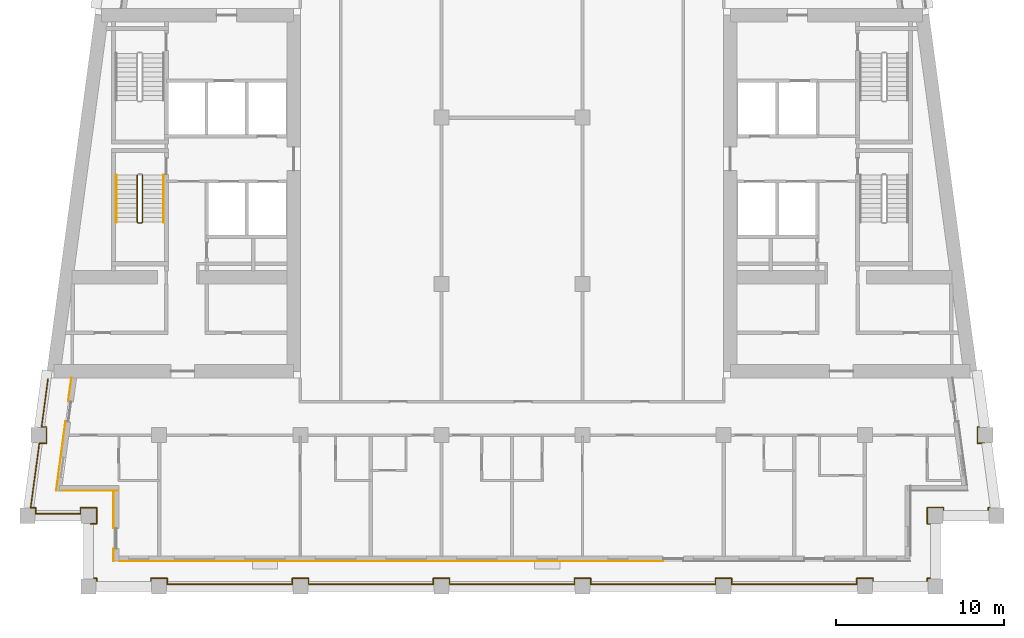
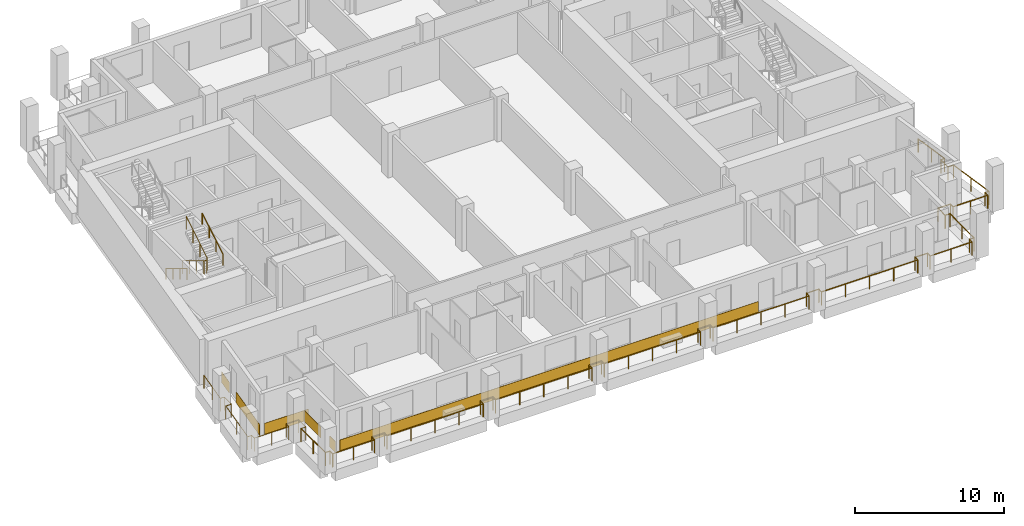
# One storey, part 8 of 12: 6 coverings, 5 railings.
"""IFC4 building model written with IfcOpenShell, lengths in metres."""

from ifc_helpers import new_model, si_unit, direction, frame, origin, origin_2d, place, context, subcontext, project, spatial, rectangle, circle, extrude, material, layer, layer_set, type_object, element, save


model = new_model("IFC4")

# Units and contexts
model_context = context("Model", 3, precision=1e-05, world=origin(), true_north=direction((0.0, 1.0)))
body_context = subcontext(model_context, "Body", "Model", "MODEL_VIEW")
ifc_project = project(units=[si_unit("LENGTHUNIT", "METRE"), si_unit("AREAUNIT", "SQUARE_METRE"), si_unit("VOLUMEUNIT", "CUBIC_METRE"), si_unit("PLANEANGLEUNIT", "RADIAN"), si_unit("MASSUNIT", "GRAM", prefix="KILO")], contexts=[model_context])

# Site, building, storey
site_placement = place(None, origin())
site = spatial("IfcSite", under=ifc_project, at=site_placement, CompositionType="ELEMENT")
building_placement = place(site_placement, origin())
building = spatial("IfcBuilding", under=site, at=building_placement, Name="Candeia Pilgrim Tower and Theatre", CompositionType="ELEMENT")
storey_placement = place(building_placement, frame((0.0, 0.0, 235.5)))
storey = spatial("IfcBuildingStorey", under=building, at=storey_placement, Name="L57", CompositionType="ELEMENT", Elevation=235.5)

# Railings
ifc_material_1 = material(Name="Stainless steel balustrade", Category="steel")
railing_type_1 = type_object("IfcRailingType", Name="G1 loggia guard 1100", PredefinedType="GUARDRAIL", material=ifc_material_1)
railing_1_placement = place(storey_placement, frame((88.320068359375, 101.719970703125, 0.0)))
element("IfcRailing", 1, at=railing_1_placement, inside=storey, type_object=railing_type_1, Name="Guard L57.1", PredefinedType="GUARDRAIL", context=body_context, shape_type="SweptSolid", body=[
    extrude(circle(Radius=0.02392578125, at=origin_2d()), frame((0.0, 0.0, 1.076171875), z_axis=(1.0, 0.0, 0.0), x_axis=(0.0, 1.0, 0.0)), (0.0, 0.0, 1.0), 0.35986328125),
    extrude(circle(Radius=0.02392578125, at=origin_2d()), frame((0.35986328125, 0.0, 1.076171875), z_axis=(0.0, 1.0, 0.0), x_axis=(-1.0, 0.0, 0.0)), (0.0, 0.0, 1.0), 0.9599609375),
    extrude(circle(Radius=0.02392578125, at=origin_2d()), frame((0.35986328125, 0.9599609375, 1.076171875), z_axis=(-1.0, 0.0, 0.0), x_axis=(0.0, -1.0, 0.0)), (0.0, 0.0, 1.0), 0.9599609375),
    extrude(circle(Radius=0.02392578125, at=origin_2d()), frame((-0.60009765625, 0.9599609375, 1.076171875), z_axis=(0.0, -1.0, 0.0), x_axis=(1.0, 0.0, 0.0)), (0.0, 0.0, 1.0), 0.35986328125),
    extrude(circle(Radius=0.02392578125, at=origin_2d()), frame((-0.60009765625, 0.60009765625, 1.076171875), z_axis=(-1.0, 0.0, 0.0), x_axis=(0.0, -1.0, 0.0)), (0.0, 0.0, 1.0), 2.674560546875),
    extrude(circle(Radius=0.02392578125, at=origin_2d()), frame((-3.274658203125, 0.60009765625, 1.076171875), z_axis=(0.0, 1.0, 0.0), x_axis=(-1.0, 0.0, 0.0)), (0.0, 0.0, 1.0), 0.35986328125),
    extrude(circle(Radius=0.02392578125, at=origin_2d()), frame((-3.274658203125, 0.9599609375, 1.076171875), z_axis=(-1.0, 0.0, 0.0), x_axis=(0.0, -1.0, 0.0)), (0.0, 0.0, 1.0), 0.29443359375),
    extrude(circle(Radius=0.02392578125, at=origin_2d()), frame((-3.569091796875, 0.9599609375, 1.076171875), z_axis=(0.133451286285, 0.991055373927, 0.0), x_axis=(-0.991055373927, 0.133451286285, 0.0)), (0.0, 0.0, 1.0), 3.874755859375),
    extrude(circle(Radius=0.02392578125, at=origin_2d()), frame((-3.052001953125, 4.800048828125, 1.076171875), z_axis=(1.0, 0.0, 0.0), x_axis=(0.0, 1.0, 0.0)), (0.0, 0.0, 1.0), 0.423583984375),
    extrude(circle(Radius=0.02392578125, at=origin_2d()), frame((-2.62841796875, 4.800048828125, 1.076171875), z_axis=(0.0, 1.0, 0.0), x_axis=(-1.0, 0.0, 0.0)), (0.0, 0.0, 1.0), 0.9599609375),
    extrude(circle(Radius=0.02392578125, at=origin_2d()), frame((-2.62841796875, 5.760009765625, 1.076171875), z_axis=(-1.0, 0.0, 0.0), x_axis=(0.0, -1.0, 0.0)), (0.0, 0.0, 1.0), 0.29443359375),
    extrude(circle(Radius=0.02392578125, at=origin_2d()), frame((-2.9228515625, 5.760009765625, 1.076171875), z_axis=(0.133450228179, 0.991055516406, 0.0), x_axis=(-0.991055516406, 0.133450228179, 0.0)), (0.0, 0.0, 1.0), 2.89599609375),
    extrude(circle(Radius=0.02099609375, at=origin_2d()), origin(), (0.0, 0.0, 1.0), 1.052001953125),
    extrude(circle(Radius=0.02099609375, at=origin_2d()), frame((0.35986328125, 0.0, 0.0)), (0.0, 0.0, 1.0), 1.052001953125),
    extrude(circle(Radius=0.02099609375, at=origin_2d()), frame((0.35986328125, 0.9599609375, 0.0)), (0.0, 0.0, 1.0), 1.052001953125),
    extrude(circle(Radius=0.02099609375, at=origin_2d()), frame((-0.60009765625, 0.9599609375, 0.0)), (0.0, 0.0, 1.0), 1.052001953125),
    extrude(circle(Radius=0.02099609375, at=origin_2d()), frame((-0.60009765625, 0.60009765625, 0.0)), (0.0, 0.0, 1.0), 1.052001953125),
    extrude(circle(Radius=0.02099609375, at=origin_2d()), frame((-1.9375, 0.60009765625, 0.0)), (0.0, 0.0, 1.0), 1.052001953125),
    extrude(circle(Radius=0.02099609375, at=origin_2d()), frame((-3.274658203125, 0.60009765625, 0.0)), (0.0, 0.0, 1.0), 1.052001953125),
    extrude(circle(Radius=0.02099609375, at=origin_2d()), frame((-3.274658203125, 0.9599609375, 0.0)), (0.0, 0.0, 1.0), 1.052001953125),
    extrude(circle(Radius=0.02099609375, at=origin_2d()), frame((-3.569091796875, 0.9599609375, 0.0)), (0.0, 0.0, 1.0), 1.052001953125),
    extrude(circle(Radius=0.02099609375, at=origin_2d()), frame((-3.310546875, 2.8798828125, 0.0)), (0.0, 0.0, 1.0), 1.052001953125),
    extrude(circle(Radius=0.02099609375, at=origin_2d()), frame((-3.052001953125, 4.800048828125, 0.0)), (0.0, 0.0, 1.0), 1.052001953125),
    extrude(circle(Radius=0.02099609375, at=origin_2d()), frame((-2.62841796875, 4.800048828125, 0.0)), (0.0, 0.0, 1.0), 1.052001953125),
    extrude(circle(Radius=0.02099609375, at=origin_2d()), frame((-2.62841796875, 5.760009765625, 0.0)), (0.0, 0.0, 1.0), 1.052001953125),
    extrude(circle(Radius=0.02099609375, at=origin_2d()), frame((-2.9228515625, 5.760009765625, 0.0)), (0.0, 0.0, 1.0), 1.052001953125),
    extrude(circle(Radius=0.02099609375, at=origin_2d()), frame((-2.7294921875, 7.195068359375, 0.0)), (0.0, 0.0, 1.0), 1.052001953125),
    extrude(circle(Radius=0.02099609375, at=origin_2d()), frame((-2.536376953125, 8.630126953125, 0.0)), (0.0, 0.0, 1.0), 1.052001953125),
])
railing_2_placement = place(storey_placement, frame((141.016357421875, 110.35009765625, 0.0)))
element("IfcRailing", 2, at=railing_2_placement, inside=storey, type_object=railing_type_1, Name="Guard L57.4", PredefinedType="GUARDRAIL", context=body_context, shape_type="SweptSolid", body=[
    extrude(circle(Radius=0.02392578125, at=origin_2d()), frame((0.0, 0.0, 1.076171875), z_axis=(0.133450228179, -0.991055516406, 0.0), x_axis=(0.991055516406, 0.133450228179, 0.0)), (0.0, 0.0, 1.0), 2.89599609375),
    extrude(circle(Radius=0.02392578125, at=origin_2d()), frame((0.386474609375, -2.8701171875, 1.076171875), z_axis=(-1.0, 0.0, 0.0), x_axis=(0.0, -1.0, 0.0)), (0.0, 0.0, 1.0), 0.29443359375),
    extrude(circle(Radius=0.02392578125, at=origin_2d()), frame((0.092041015625, -2.8701171875, 1.076171875), z_axis=(0.0, -1.0, 0.0), x_axis=(1.0, 0.0, 0.0)), (0.0, 0.0, 1.0), 0.9599609375),
    extrude(circle(Radius=0.02392578125, at=origin_2d()), frame((0.092041015625, -3.830078125, 1.076171875), z_axis=(1.0, 0.0, 0.0), x_axis=(0.0, 1.0, 0.0)), (0.0, 0.0, 1.0), 0.423583984375),
    extrude(circle(Radius=0.02392578125, at=origin_2d()), frame((0.515625, -3.830078125, 1.076171875), z_axis=(0.133389399471, -0.991063705374, 0.0), x_axis=(0.991063705374, 0.133389399471, 0.0)), (0.0, 0.0, 1.0), 3.874755859375),
    extrude(circle(Radius=0.02392578125, at=origin_2d()), frame((1.032470703125, -7.670166015625, 1.076171875), z_axis=(-1.0, 0.0, 0.0), x_axis=(0.0, -1.0, 0.0)), (0.0, 0.0, 1.0), 0.294189453125),
    extrude(circle(Radius=0.02392578125, at=origin_2d()), frame((0.73828125, -7.670166015625, 1.076171875), z_axis=(0.0, -1.0, 0.0), x_axis=(1.0, 0.0, 0.0)), (0.0, 0.0, 1.0), 0.35986328125),
    extrude(circle(Radius=0.02392578125, at=origin_2d()), frame((0.73828125, -8.030029296875, 1.076171875), z_axis=(-1.0, 0.0, 0.0), x_axis=(0.0, -1.0, 0.0)), (0.0, 0.0, 1.0), 2.674560546875),
    extrude(circle(Radius=0.02392578125, at=origin_2d()), frame((-1.936279296875, -8.030029296875, 1.076171875), z_axis=(0.0, 1.0, 0.0), x_axis=(-1.0, 0.0, 0.0)), (0.0, 0.0, 1.0), 0.35986328125),
    extrude(circle(Radius=0.02392578125, at=origin_2d()), frame((-1.936279296875, -7.670166015625, 1.076171875), z_axis=(-1.0, 0.0, 0.0), x_axis=(0.0, -1.0, 0.0)), (0.0, 0.0, 1.0), 0.9599609375),
    extrude(circle(Radius=0.02392578125, at=origin_2d()), frame((-2.896240234375, -7.670166015625, 1.076171875), z_axis=(0.0, -1.0, 0.0), x_axis=(1.0, 0.0, 0.0)), (0.0, 0.0, 1.0), 0.9599609375),
    extrude(circle(Radius=0.02392578125, at=origin_2d()), frame((-2.896240234375, -8.630126953125, 1.076171875), z_axis=(1.0, 0.0, 0.0), x_axis=(0.0, 1.0, 0.0)), (0.0, 0.0, 1.0), 0.35986328125),
    extrude(circle(Radius=0.02392578125, at=origin_2d()), frame((-2.536376953125, -8.630126953125, 1.076171875), z_axis=(0.0, -1.0, 0.0), x_axis=(1.0, 0.0, 0.0)), (0.0, 0.0, 1.0), 3.239990234375),
    extrude(circle(Radius=0.02392578125, at=origin_2d()), frame((-2.536376953125, -11.8701171875, 1.076171875), z_axis=(-1.0, 0.0, 0.0), x_axis=(0.0, -1.0, 0.0)), (0.0, 0.0, 1.0), 0.35986328125),
    extrude(circle(Radius=0.02392578125, at=origin_2d()), frame((-2.896240234375, -11.8701171875, 1.076171875), z_axis=(0.0, -1.0, 0.0), x_axis=(1.0, 0.0, 0.0)), (0.0, 0.0, 1.0), 0.35986328125),
    extrude(circle(Radius=0.02392578125, at=origin_2d()), frame((-2.896240234375, -12.22998046875, 1.076171875), z_axis=(-1.0, 0.0, 0.0), x_axis=(0.0, -1.0, 0.0)), (0.0, 0.0, 1.0), 3.240234375),
    extrude(circle(Radius=0.02392578125, at=origin_2d()), frame((-6.136474609375, -12.22998046875, 1.076171875), z_axis=(0.0, 1.0, 0.0), x_axis=(-1.0, 0.0, 0.0)), (0.0, 0.0, 1.0), 0.35986328125),
    extrude(circle(Radius=0.02392578125, at=origin_2d()), frame((-6.136474609375, -11.8701171875, 1.076171875), z_axis=(-1.0, 0.0, 0.0), x_axis=(0.0, -1.0, 0.0)), (0.0, 0.0, 1.0), 0.9599609375),
    extrude(circle(Radius=0.02392578125, at=origin_2d()), frame((-7.096435546875, -11.8701171875, 1.076171875), z_axis=(0.0, -1.0, 0.0), x_axis=(1.0, 0.0, 0.0)), (0.0, 0.0, 1.0), 0.35986328125),
    extrude(circle(Radius=0.02392578125, at=origin_2d()), frame((-7.096435546875, -12.22998046875, 1.076171875), z_axis=(-1.0, 0.0, 0.0), x_axis=(0.0, -1.0, 0.0)), (0.0, 0.0, 1.0), 7.43994140625),
    extrude(circle(Radius=0.02392578125, at=origin_2d()), frame((-14.536376953125, -12.22998046875, 1.076171875), z_axis=(0.0, 1.0, 0.0), x_axis=(-1.0, 0.0, 0.0)), (0.0, 0.0, 1.0), 0.35986328125),
    extrude(circle(Radius=0.02392578125, at=origin_2d()), frame((-14.536376953125, -11.8701171875, 1.076171875), z_axis=(-1.0, 0.0, 0.0), x_axis=(0.0, -1.0, 0.0)), (0.0, 0.0, 1.0), 0.9599609375),
    extrude(circle(Radius=0.02392578125, at=origin_2d()), frame((-15.496337890625, -11.8701171875, 1.076171875), z_axis=(0.0, -1.0, 0.0), x_axis=(1.0, 0.0, 0.0)), (0.0, 0.0, 1.0), 0.35986328125),
    extrude(circle(Radius=0.02392578125, at=origin_2d()), frame((-15.496337890625, -12.22998046875, 1.076171875), z_axis=(-1.0, 0.0, 0.0), x_axis=(0.0, -1.0, 0.0)), (0.0, 0.0, 1.0), 7.43994140625),
    extrude(circle(Radius=0.02392578125, at=origin_2d()), frame((-22.936279296875, -12.22998046875, 1.076171875), z_axis=(0.0, 1.0, 0.0), x_axis=(-1.0, 0.0, 0.0)), (0.0, 0.0, 1.0), 0.35986328125),
    extrude(circle(Radius=0.02392578125, at=origin_2d()), frame((-22.936279296875, -11.8701171875, 1.076171875), z_axis=(-1.0, 0.0, 0.0), x_axis=(0.0, -1.0, 0.0)), (0.0, 0.0, 1.0), 0.9599609375),
    extrude(circle(Radius=0.02392578125, at=origin_2d()), frame((-23.896240234375, -11.8701171875, 1.076171875), z_axis=(0.0, -1.0, 0.0), x_axis=(1.0, 0.0, 0.0)), (0.0, 0.0, 1.0), 0.35986328125),
    extrude(circle(Radius=0.02392578125, at=origin_2d()), frame((-23.896240234375, -12.22998046875, 1.076171875), z_axis=(-1.0, 0.0, 0.0), x_axis=(0.0, -1.0, 0.0)), (0.0, 0.0, 1.0), 7.440185546875),
    extrude(circle(Radius=0.02392578125, at=origin_2d()), frame((-31.33642578125, -12.22998046875, 1.076171875), z_axis=(0.0, 1.0, 0.0), x_axis=(-1.0, 0.0, 0.0)), (0.0, 0.0, 1.0), 0.35986328125),
    extrude(circle(Radius=0.02392578125, at=origin_2d()), frame((-31.33642578125, -11.8701171875, 1.076171875), z_axis=(-1.0, 0.0, 0.0), x_axis=(0.0, -1.0, 0.0)), (0.0, 0.0, 1.0), 0.9599609375),
    extrude(circle(Radius=0.02392578125, at=origin_2d()), frame((-32.29638671875, -11.8701171875, 1.076171875), z_axis=(0.0, -1.0, 0.0), x_axis=(1.0, 0.0, 0.0)), (0.0, 0.0, 1.0), 0.35986328125),
    extrude(circle(Radius=0.02392578125, at=origin_2d()), frame((-32.29638671875, -12.22998046875, 1.076171875), z_axis=(-1.0, 0.0, 0.0), x_axis=(0.0, -1.0, 0.0)), (0.0, 0.0, 1.0), 7.43994140625),
    extrude(circle(Radius=0.02392578125, at=origin_2d()), frame((-39.736328125, -12.22998046875, 1.076171875), z_axis=(0.0, 1.0, 0.0), x_axis=(-1.0, 0.0, 0.0)), (0.0, 0.0, 1.0), 0.35986328125),
    extrude(circle(Radius=0.02392578125, at=origin_2d()), frame((-39.736328125, -11.8701171875, 1.076171875), z_axis=(-1.0, 0.0, 0.0), x_axis=(0.0, -1.0, 0.0)), (0.0, 0.0, 1.0), 0.9599609375),
    extrude(circle(Radius=0.02392578125, at=origin_2d()), frame((-40.6962890625, -11.8701171875, 1.076171875), z_axis=(0.0, -1.0, 0.0), x_axis=(1.0, 0.0, 0.0)), (0.0, 0.0, 1.0), 0.35986328125),
    extrude(circle(Radius=0.02392578125, at=origin_2d()), frame((-40.6962890625, -12.22998046875, 1.076171875), z_axis=(-1.0, 0.0, 0.0), x_axis=(0.0, -1.0, 0.0)), (0.0, 0.0, 1.0), 7.440185546875),
    extrude(circle(Radius=0.02392578125, at=origin_2d()), frame((-48.136474609375, -12.22998046875, 1.076171875), z_axis=(0.0, 1.0, 0.0), x_axis=(-1.0, 0.0, 0.0)), (0.0, 0.0, 1.0), 0.35986328125),
    extrude(circle(Radius=0.02392578125, at=origin_2d()), frame((-48.136474609375, -11.8701171875, 1.076171875), z_axis=(-1.0, 0.0, 0.0), x_axis=(0.0, -1.0, 0.0)), (0.0, 0.0, 1.0), 0.9599609375),
    extrude(circle(Radius=0.02392578125, at=origin_2d()), frame((-49.096435546875, -11.8701171875, 1.076171875), z_axis=(0.0, -1.0, 0.0), x_axis=(1.0, 0.0, 0.0)), (0.0, 0.0, 1.0), 0.35986328125),
    extrude(circle(Radius=0.02392578125, at=origin_2d()), frame((-49.096435546875, -12.22998046875, 1.076171875), z_axis=(-1.0, 0.0, 0.0), x_axis=(0.0, -1.0, 0.0)), (0.0, 0.0, 1.0), 3.239990234375),
    extrude(circle(Radius=0.02392578125, at=origin_2d()), frame((-52.33642578125, -12.22998046875, 1.076171875), z_axis=(0.0, 1.0, 0.0), x_axis=(-1.0, 0.0, 0.0)), (0.0, 0.0, 1.0), 0.35986328125),
    extrude(circle(Radius=0.02392578125, at=origin_2d()), frame((-52.33642578125, -11.8701171875, 1.076171875), z_axis=(-1.0, 0.0, 0.0), x_axis=(0.0, -1.0, 0.0)), (0.0, 0.0, 1.0), 0.35986328125),
    extrude(circle(Radius=0.02392578125, at=origin_2d()), frame((-52.6962890625, -11.8701171875, 1.076171875), z_axis=(0.0, 1.0, 0.0), x_axis=(-1.0, 0.0, 0.0)), (0.0, 0.0, 1.0), 3.239990234375),
    extrude(circle(Radius=0.02099609375, at=origin_2d()), origin(), (0.0, 0.0, 1.0), 1.052001953125),
    extrude(circle(Radius=0.02099609375, at=origin_2d()), frame((0.193359375, -1.43505859375, 0.0)), (0.0, 0.0, 1.0), 1.052001953125),
    extrude(circle(Radius=0.02099609375, at=origin_2d()), frame((0.386474609375, -2.8701171875, 0.0)), (0.0, 0.0, 1.0), 1.052001953125),
    extrude(circle(Radius=0.02099609375, at=origin_2d()), frame((0.092041015625, -2.8701171875, 0.0)), (0.0, 0.0, 1.0), 1.052001953125),
    extrude(circle(Radius=0.02099609375, at=origin_2d()), frame((0.092041015625, -3.830078125, 0.0)), (0.0, 0.0, 1.0), 1.052001953125),
    extrude(circle(Radius=0.02099609375, at=origin_2d()), frame((0.515625, -3.830078125, 0.0)), (0.0, 0.0, 1.0), 1.052001953125),
    extrude(circle(Radius=0.02099609375, at=origin_2d()), frame((0.77392578125, -5.75, 0.0)), (0.0, 0.0, 1.0), 1.052001953125),
    extrude(circle(Radius=0.02099609375, at=origin_2d()), frame((1.032470703125, -7.670166015625, 0.0)), (0.0, 0.0, 1.0), 1.052001953125),
    extrude(circle(Radius=0.02099609375, at=origin_2d()), frame((0.73828125, -7.670166015625, 0.0)), (0.0, 0.0, 1.0), 1.052001953125),
    extrude(circle(Radius=0.02099609375, at=origin_2d()), frame((0.73828125, -8.030029296875, 0.0)), (0.0, 0.0, 1.0), 1.052001953125),
    extrude(circle(Radius=0.02099609375, at=origin_2d()), frame((-0.59912109375, -8.030029296875, 0.0)), (0.0, 0.0, 1.0), 1.052001953125),
    extrude(circle(Radius=0.02099609375, at=origin_2d()), frame((-1.936279296875, -8.030029296875, 0.0)), (0.0, 0.0, 1.0), 1.052001953125),
    extrude(circle(Radius=0.02099609375, at=origin_2d()), frame((-1.936279296875, -7.670166015625, 0.0)), (0.0, 0.0, 1.0), 1.052001953125),
    extrude(circle(Radius=0.02099609375, at=origin_2d()), frame((-2.896240234375, -7.670166015625, 0.0)), (0.0, 0.0, 1.0), 1.052001953125),
    extrude(circle(Radius=0.02099609375, at=origin_2d()), frame((-2.896240234375, -8.630126953125, 0.0)), (0.0, 0.0, 1.0), 1.052001953125),
    extrude(circle(Radius=0.02099609375, at=origin_2d()), frame((-2.536376953125, -8.630126953125, 0.0)), (0.0, 0.0, 1.0), 1.052001953125),
    extrude(circle(Radius=0.02099609375, at=origin_2d()), frame((-2.536376953125, -10.25, 0.0)), (0.0, 0.0, 1.0), 1.052001953125),
    extrude(circle(Radius=0.02099609375, at=origin_2d()), frame((-2.536376953125, -11.8701171875, 0.0)), (0.0, 0.0, 1.0), 1.052001953125),
    extrude(circle(Radius=0.02099609375, at=origin_2d()), frame((-2.896240234375, -11.8701171875, 0.0)), (0.0, 0.0, 1.0), 1.052001953125),
    extrude(circle(Radius=0.02099609375, at=origin_2d()), frame((-2.896240234375, -12.22998046875, 0.0)), (0.0, 0.0, 1.0), 1.052001953125),
    extrude(circle(Radius=0.02099609375, at=origin_2d()), frame((-4.516357421875, -12.22998046875, 0.0)), (0.0, 0.0, 1.0), 1.052001953125),
    extrude(circle(Radius=0.02099609375, at=origin_2d()), frame((-6.136474609375, -12.22998046875, 0.0)), (0.0, 0.0, 1.0), 1.052001953125),
    extrude(circle(Radius=0.02099609375, at=origin_2d()), frame((-6.136474609375, -11.8701171875, 0.0)), (0.0, 0.0, 1.0), 1.052001953125),
    extrude(circle(Radius=0.02099609375, at=origin_2d()), frame((-7.096435546875, -11.8701171875, 0.0)), (0.0, 0.0, 1.0), 1.052001953125),
    extrude(circle(Radius=0.02099609375, at=origin_2d()), frame((-7.096435546875, -12.22998046875, 0.0)), (0.0, 0.0, 1.0), 1.052001953125),
    extrude(circle(Radius=0.02099609375, at=origin_2d()), frame((-8.95654296875, -12.22998046875, 0.0)), (0.0, 0.0, 1.0), 1.052001953125),
    extrude(circle(Radius=0.02099609375, at=origin_2d()), frame((-10.81640625, -12.22998046875, 0.0)), (0.0, 0.0, 1.0), 1.052001953125),
    extrude(circle(Radius=0.02099609375, at=origin_2d()), frame((-12.67626953125, -12.22998046875, 0.0)), (0.0, 0.0, 1.0), 1.052001953125),
    extrude(circle(Radius=0.02099609375, at=origin_2d()), frame((-14.536376953125, -12.22998046875, 0.0)), (0.0, 0.0, 1.0), 1.052001953125),
    extrude(circle(Radius=0.02099609375, at=origin_2d()), frame((-14.536376953125, -11.8701171875, 0.0)), (0.0, 0.0, 1.0), 1.052001953125),
    extrude(circle(Radius=0.02099609375, at=origin_2d()), frame((-15.496337890625, -11.8701171875, 0.0)), (0.0, 0.0, 1.0), 1.052001953125),
    extrude(circle(Radius=0.02099609375, at=origin_2d()), frame((-15.496337890625, -12.22998046875, 0.0)), (0.0, 0.0, 1.0), 1.052001953125),
    extrude(circle(Radius=0.02099609375, at=origin_2d()), frame((-17.3564453125, -12.22998046875, 0.0)), (0.0, 0.0, 1.0), 1.052001953125),
    extrude(circle(Radius=0.02099609375, at=origin_2d()), frame((-19.21630859375, -12.22998046875, 0.0)), (0.0, 0.0, 1.0), 1.052001953125),
    extrude(circle(Radius=0.02099609375, at=origin_2d()), frame((-21.076171875, -12.22998046875, 0.0)), (0.0, 0.0, 1.0), 1.052001953125),
    extrude(circle(Radius=0.02099609375, at=origin_2d()), frame((-22.936279296875, -12.22998046875, 0.0)), (0.0, 0.0, 1.0), 1.052001953125),
    extrude(circle(Radius=0.02099609375, at=origin_2d()), frame((-22.936279296875, -11.8701171875, 0.0)), (0.0, 0.0, 1.0), 1.052001953125),
    extrude(circle(Radius=0.02099609375, at=origin_2d()), frame((-23.896240234375, -11.8701171875, 0.0)), (0.0, 0.0, 1.0), 1.052001953125),
    extrude(circle(Radius=0.02099609375, at=origin_2d()), frame((-23.896240234375, -12.22998046875, 0.0)), (0.0, 0.0, 1.0), 1.052001953125),
    extrude(circle(Radius=0.02099609375, at=origin_2d()), frame((-25.75634765625, -12.22998046875, 0.0)), (0.0, 0.0, 1.0), 1.052001953125),
    extrude(circle(Radius=0.02099609375, at=origin_2d()), frame((-27.6162109375, -12.22998046875, 0.0)), (0.0, 0.0, 1.0), 1.052001953125),
    extrude(circle(Radius=0.02099609375, at=origin_2d()), frame((-29.476318359375, -12.22998046875, 0.0)), (0.0, 0.0, 1.0), 1.052001953125),
    extrude(circle(Radius=0.02099609375, at=origin_2d()), frame((-31.33642578125, -12.22998046875, 0.0)), (0.0, 0.0, 1.0), 1.052001953125),
    extrude(circle(Radius=0.02099609375, at=origin_2d()), frame((-31.33642578125, -11.8701171875, 0.0)), (0.0, 0.0, 1.0), 1.052001953125),
    extrude(circle(Radius=0.02099609375, at=origin_2d()), frame((-32.29638671875, -11.8701171875, 0.0)), (0.0, 0.0, 1.0), 1.052001953125),
    extrude(circle(Radius=0.02099609375, at=origin_2d()), frame((-32.29638671875, -12.22998046875, 0.0)), (0.0, 0.0, 1.0), 1.052001953125),
    extrude(circle(Radius=0.02099609375, at=origin_2d()), frame((-34.15625, -12.22998046875, 0.0)), (0.0, 0.0, 1.0), 1.052001953125),
    extrude(circle(Radius=0.02099609375, at=origin_2d()), frame((-36.016357421875, -12.22998046875, 0.0)), (0.0, 0.0, 1.0), 1.052001953125),
    extrude(circle(Radius=0.02099609375, at=origin_2d()), frame((-37.87646484375, -12.22998046875, 0.0)), (0.0, 0.0, 1.0), 1.052001953125),
    extrude(circle(Radius=0.02099609375, at=origin_2d()), frame((-39.736328125, -12.22998046875, 0.0)), (0.0, 0.0, 1.0), 1.052001953125),
    extrude(circle(Radius=0.02099609375, at=origin_2d()), frame((-39.736328125, -11.8701171875, 0.0)), (0.0, 0.0, 1.0), 1.052001953125),
    extrude(circle(Radius=0.02099609375, at=origin_2d()), frame((-40.6962890625, -11.8701171875, 0.0)), (0.0, 0.0, 1.0), 1.052001953125),
    extrude(circle(Radius=0.02099609375, at=origin_2d()), frame((-40.6962890625, -12.22998046875, 0.0)), (0.0, 0.0, 1.0), 1.052001953125),
    extrude(circle(Radius=0.02099609375, at=origin_2d()), frame((-42.556396484375, -12.22998046875, 0.0)), (0.0, 0.0, 1.0), 1.052001953125),
    extrude(circle(Radius=0.02099609375, at=origin_2d()), frame((-44.41650390625, -12.22998046875, 0.0)), (0.0, 0.0, 1.0), 1.052001953125),
    extrude(circle(Radius=0.02099609375, at=origin_2d()), frame((-46.2763671875, -12.22998046875, 0.0)), (0.0, 0.0, 1.0), 1.052001953125),
    extrude(circle(Radius=0.02099609375, at=origin_2d()), frame((-48.136474609375, -12.22998046875, 0.0)), (0.0, 0.0, 1.0), 1.052001953125),
    extrude(circle(Radius=0.02099609375, at=origin_2d()), frame((-48.136474609375, -11.8701171875, 0.0)), (0.0, 0.0, 1.0), 1.052001953125),
    extrude(circle(Radius=0.02099609375, at=origin_2d()), frame((-49.096435546875, -11.8701171875, 0.0)), (0.0, 0.0, 1.0), 1.052001953125),
    extrude(circle(Radius=0.02099609375, at=origin_2d()), frame((-49.096435546875, -12.22998046875, 0.0)), (0.0, 0.0, 1.0), 1.052001953125),
    extrude(circle(Radius=0.02099609375, at=origin_2d()), frame((-50.71630859375, -12.22998046875, 0.0)), (0.0, 0.0, 1.0), 1.052001953125),
    extrude(circle(Radius=0.02099609375, at=origin_2d()), frame((-52.33642578125, -12.22998046875, 0.0)), (0.0, 0.0, 1.0), 1.052001953125),
    extrude(circle(Radius=0.02099609375, at=origin_2d()), frame((-52.33642578125, -11.8701171875, 0.0)), (0.0, 0.0, 1.0), 1.052001953125),
    extrude(circle(Radius=0.02099609375, at=origin_2d()), frame((-52.6962890625, -11.8701171875, 0.0)), (0.0, 0.0, 1.0), 1.052001953125),
    extrude(circle(Radius=0.02099609375, at=origin_2d()), frame((-52.6962890625, -10.25, 0.0)), (0.0, 0.0, 1.0), 1.052001953125),
    extrude(circle(Radius=0.02099609375, at=origin_2d()), frame((-52.6962890625, -8.630126953125, 0.0)), (0.0, 0.0, 1.0), 1.052001953125),
])

# Coverings
ifc_material_2 = material(Name="Glazed ceramic tile bottle green")
ifc_layer = layer(ifc_material_2, 0.02001953125)
ifc_layer_set = layer_set([ifc_layer], Name="Glazed ceramic tile bottle green")
covering_type = type_object("IfcCoveringType", Name="Glazed ceramic tile bottle green", PredefinedType="CLADDING", material=ifc_layer_set)
covering_1_placement = place(storey_placement, frame((106.2099609375, 99.489990234375, 0.0), z_axis=(0.0, 0.0, 1.0), x_axis=(1.0, 0.0, 0.0)))
element("IfcCovering", 3, at=covering_1_placement, inside=storey, type_object=covering_type, Name="Tile cladding bottle green L57", PredefinedType="CLADDING", context=body_context, shape_type="SweptSolid", body=[
    extrude(rectangle(XDim=32.3798828125, YDim=0.02001953125, at=origin_2d()), origin(), (0.0, 0.0, 1.0), 0.89990234375),
])
covering_2_placement = place(storey_placement, frame((87.0810546875, 109.71875, 0.0), z_axis=(0.0, 0.0, 1.0), x_axis=(-0.133412012145, -0.991060661622, 0.0)))
element("IfcCovering", 4, at=covering_2_placement, inside=storey, type_object=covering_type, Name="Tile cladding bottle green L57", PredefinedType="CLADDING", context=body_context, shape_type="SweptSolid", body=[
    extrude(rectangle(XDim=1.41796875, YDim=0.02001953125, at=origin_2d()), origin(), (0.0, 0.0, 1.0), 0.89990234375),
])
covering_3_placement = place(storey_placement, frame((86.548583984375, 105.763916015625, 0.0), z_axis=(0.0, 0.0, 1.0), x_axis=(-0.133412012145, -0.991060661622, 0.0)))
element("IfcCovering", 5, at=covering_3_placement, inside=storey, type_object=covering_type, Name="Tile cladding bottle green L57", PredefinedType="CLADDING", context=body_context, shape_type="SweptSolid", body=[
    extrude(rectangle(XDim=4.16259765625, YDim=0.02001953125, at=origin_2d()), origin(), (0.0, 0.0, 1.0), 0.89990234375),
])
covering_4_placement = place(storey_placement, frame((88.311279296875, 103.68994140625, 0.0), z_axis=(0.0, 0.0, 1.0), x_axis=(1.0, 0.0, 0.0)))
element("IfcCovering", 6, at=covering_4_placement, inside=storey, type_object=covering_type, Name="Tile cladding bottle green L57", PredefinedType="CLADDING", context=body_context, shape_type="SweptSolid", body=[
    extrude(rectangle(XDim=3.377685546875, YDim=0.02001953125, at=origin_2d()), origin(), (0.0, 0.0, 1.0), 0.89990234375),
])
covering_5_placement = place(storey_placement, frame((89.68994140625, 102.56494140625, 0.0), z_axis=(0.0, 0.0, 1.0), x_axis=(0.0, -1.0, 0.0)))
element("IfcCovering", 7, at=covering_5_placement, inside=storey, type_object=covering_type, Name="Tile cladding bottle green L57", PredefinedType="CLADDING", context=body_context, shape_type="SweptSolid", body=[
    extrude(rectangle(XDim=2.22998046875, YDim=0.02001953125, at=origin_2d()), origin(), (0.0, 0.0, 1.0), 0.89990234375),
])
covering_6_placement = place(storey_placement, frame((89.68994140625, 99.875, 0.0), z_axis=(0.0, 0.0, 1.0), x_axis=(0.0, -1.0, 0.0)))
element("IfcCovering", 8, at=covering_6_placement, inside=storey, type_object=covering_type, Name="Tile cladding bottle green L57", PredefinedType="CLADDING", context=body_context, shape_type="SweptSolid", body=[
    extrude(rectangle(XDim=0.75, YDim=0.02001953125, at=origin_2d()), origin(), (0.0, 0.0, 1.0), 0.89990234375),
])

# Railings
railing_type_2 = type_object("IfcRailingType", Name="RL-GUARD-1100", PredefinedType="GUARDRAIL", material=ifc_material_1)
railing_3_placement = place(storey_placement, frame((91.10205078125, 122.47509765625, 0.168212890625)))
element("IfcRailing", 9, at=railing_3_placement, inside=storey, type_object=railing_type_2, Name="L57 ST1 stair guard 1", PredefinedType="GUARDRAIL", context=body_context, shape_type="SweptSolid", body=[
    extrude(circle(Radius=0.02392578125, at=origin_2d()), frame((0.0, 0.0, 1.076171875), z_axis=(0.0, -0.857242210791, 0.514913383045), x_axis=(1.0, 0.0, 0.0)), (0.0, 0.0, 1.0), 3.266357421875),
    extrude(circle(Radius=0.02392578125, at=origin_2d()), frame((0.0, -2.800048828125, 2.7578125), z_axis=(0.707106781187, -0.707106781187, 0.0), x_axis=(0.707106781187, 0.707106781187, 0.0)), (0.0, 0.0, 1.0), 0.07080078125),
    extrude(circle(Radius=0.02392578125, at=origin_2d()), frame((0.050048828125, -2.85009765625, 2.7578125), z_axis=(1.0, 0.0, 0.0), x_axis=(0.0, 1.0, 0.0)), (0.0, 0.0, 1.0), 0.199951171875),
    extrude(circle(Radius=0.02392578125, at=origin_2d()), frame((0.25, -2.85009765625, 2.7578125), z_axis=(0.274582412415, 0.274582412415, 0.921525364591), x_axis=(-0.707106781187, 0.707106781187, 0.0)), (0.0, 0.0, 1.0), 0.182373046875),
    extrude(circle(Radius=0.02392578125, at=origin_2d()), frame((0.300048828125, -2.800048828125, 2.92578125), z_axis=(0.0, 0.857242210791, 0.514913383045), x_axis=(-1.0, 0.0, 0.0)), (0.0, 0.0, 1.0), 3.266357421875),
    extrude(circle(Radius=0.02099609375, at=origin_2d()), origin(), (0.0, 0.0, 1.0), 1.052001953125),
    extrude(circle(Radius=0.02099609375, at=origin_2d()), frame((0.0, -0.933349609375, 0.560546875)), (0.0, 0.0, 1.0), 1.052001953125),
    extrude(circle(Radius=0.02099609375, at=origin_2d()), frame((0.0, -1.86669921875, 1.121337890625)), (0.0, 0.0, 1.0), 1.052001953125),
    extrude(circle(Radius=0.02099609375, at=origin_2d()), frame((0.0, -2.800048828125, 1.681884765625)), (0.0, 0.0, 1.0), 1.052001953125),
    extrude(circle(Radius=0.02099609375, at=origin_2d()), frame((0.050048828125, -2.85009765625, 1.681884765625)), (0.0, 0.0, 1.0), 1.052001953125),
    extrude(circle(Radius=0.02099609375, at=origin_2d()), frame((0.25, -2.85009765625, 1.681884765625)), (0.0, 0.0, 1.0), 1.052001953125),
    extrude(circle(Radius=0.02099609375, at=origin_2d()), frame((0.300048828125, -2.800048828125, 1.849853515625)), (0.0, 0.0, 1.0), 1.052001953125),
    extrude(circle(Radius=0.02099609375, at=origin_2d()), frame((0.300048828125, -1.86669921875, 2.410400390625)), (0.0, 0.0, 1.0), 1.052001953125),
    extrude(circle(Radius=0.02099609375, at=origin_2d()), frame((0.300048828125, -0.933349609375, 2.97119140625)), (0.0, 0.0, 1.0), 1.052001953125),
    extrude(circle(Radius=0.02099609375, at=origin_2d()), frame((0.300048828125, 0.0, 3.53173828125)), (0.0, 0.0, 1.0), 1.052001953125),
])
ifc_material_3 = material(Name="Stainless steel handrail", Category="steel")
railing_type_3 = type_object("IfcRailingType", Name="RL-HANDRAIL-900", PredefinedType="HANDRAIL", material=ifc_material_3)
railing_4_placement = place(storey_placement, frame((89.85205078125, 122.47509765625, 0.168212890625)))
element("IfcRailing", 10, at=railing_4_placement, inside=storey, type_object=railing_type_3, Name="L57 ST1 stair handrail 1", PredefinedType="HANDRAIL", context=body_context, shape_type="SweptSolid", body=[
    extrude(circle(Radius=0.02392578125, at=origin_2d()), frame((0.0, 0.0, 0.8759765625), z_axis=(0.0, -0.857242210791, 0.514913383045), x_axis=(1.0, 0.0, 0.0)), (0.0, 0.0, 1.0), 3.266357421875),
    extrude(circle(Radius=0.02099609375, at=origin_2d()), origin(), (0.0, 0.0, 1.0), 0.851806640625),
    extrude(circle(Radius=0.02099609375, at=origin_2d()), frame((0.0, -0.933349609375, 0.560546875)), (0.0, 0.0, 1.0), 0.851806640625),
    extrude(circle(Radius=0.02099609375, at=origin_2d()), frame((0.0, -1.86669921875, 1.121337890625)), (0.0, 0.0, 1.0), 0.851806640625),
    extrude(circle(Radius=0.02099609375, at=origin_2d()), frame((0.0, -2.800048828125, 1.681884765625)), (0.0, 0.0, 1.0), 0.851806640625),
])
railing_5_placement = place(storey_placement, frame((92.652099609375, 119.675048828125, 2.01806640625)))
element("IfcRailing", 11, at=railing_5_placement, inside=storey, type_object=railing_type_3, Name="L57 ST1 stair handrail 2", PredefinedType="HANDRAIL", context=body_context, shape_type="SweptSolid", body=[
    extrude(circle(Radius=0.02392578125, at=origin_2d()), frame((0.0, 0.0, 0.8759765625), z_axis=(0.0, 0.857242210791, 0.514913383045), x_axis=(-1.0, 0.0, 0.0)), (0.0, 0.0, 1.0), 3.266357421875),
    extrude(circle(Radius=0.02099609375, at=origin_2d()), origin(), (0.0, 0.0, 1.0), 0.851806640625),
    extrude(circle(Radius=0.02099609375, at=origin_2d()), frame((0.0, 0.933349609375, 0.560546875)), (0.0, 0.0, 1.0), 0.851806640625),
    extrude(circle(Radius=0.02099609375, at=origin_2d()), frame((0.0, 1.86669921875, 1.121337890625)), (0.0, 0.0, 1.0), 0.851806640625),
    extrude(circle(Radius=0.02099609375, at=origin_2d()), frame((0.0, 2.800048828125, 1.681884765625)), (0.0, 0.0, 1.0), 0.851806640625),
])

save(model, "model.ifc")
